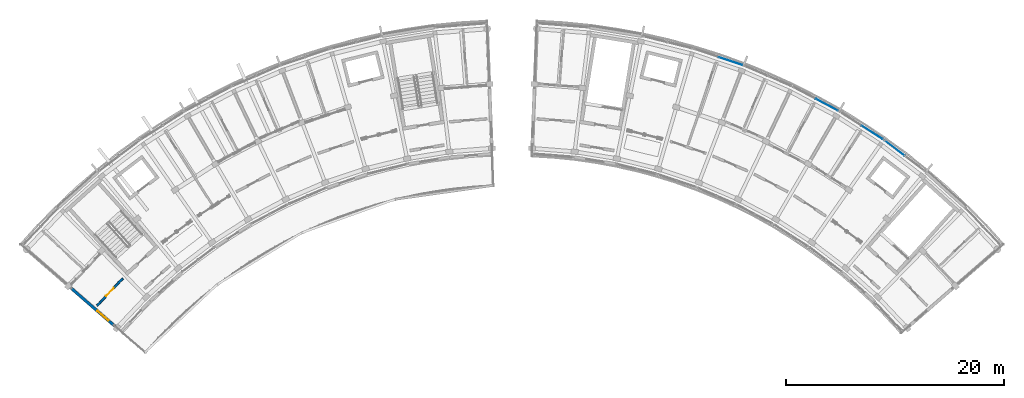
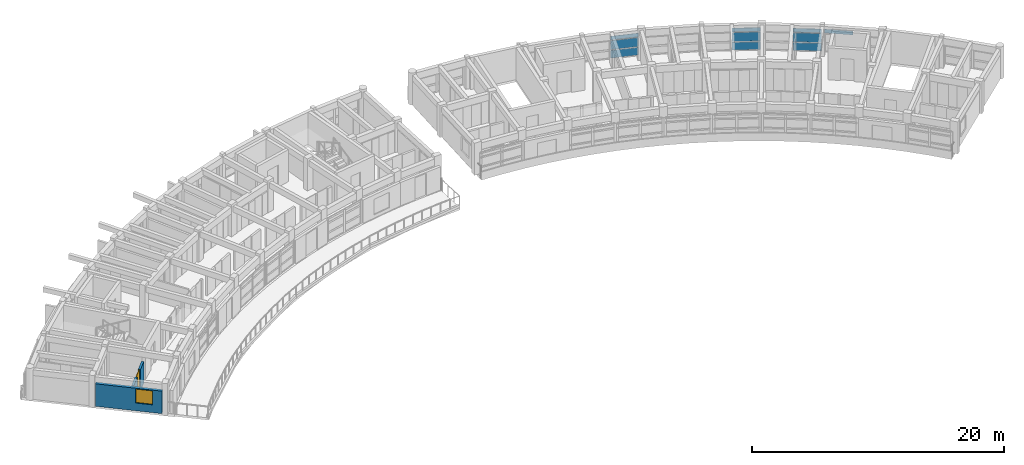
# One storey, part 13 of 23: 10 plates, 2 walls, 1 door, 1 window, 2 openings, 4 elements without a shape of their own.
"""IFC4 building model written with IfcOpenShell, lengths in metres."""

from ifc_helpers import new_model, si_unit, direction, frame, frame_2d, origin, origin_2d, place, context, subcontext, project, spatial, rectangle, extrude, material, layer, layer_set, type_object, element, fill, aggregate, save


model = new_model("IFC4")

# Units and contexts
model_context = context("Model", 3, precision=1e-05, world=origin(), true_north=direction((0.0, 1.0)))
body_context = subcontext(model_context, "Body", "Model", "MODEL_VIEW")
ifc_project = project(units=[si_unit("LENGTHUNIT", "METRE"), si_unit("AREAUNIT", "SQUARE_METRE"), si_unit("VOLUMEUNIT", "CUBIC_METRE"), si_unit("PLANEANGLEUNIT", "RADIAN"), si_unit("MASSUNIT", "GRAM", prefix="KILO")], contexts=[model_context])

# Site, building, storey
site_placement = place(None, origin())
site = spatial("IfcSite", under=ifc_project, at=site_placement, CompositionType="ELEMENT")
building_placement = place(site_placement, origin())
building = spatial("IfcBuilding", under=site, at=building_placement, Name="Zimvara Arc Housing Community", CompositionType="ELEMENT")
storey_placement = place(building_placement, frame((0.0, 0.0, 36.0)))
storey = spatial("IfcBuildingStorey", under=building, at=storey_placement, Name="L11", CompositionType="ELEMENT", Elevation=36.0)

# Curtain wall, plates
ifc_material_1 = material(Name="Anodised Aluminium AW-6063", Category="aluminium")
curtain_wall_type_1 = type_object("IfcCurtainWallType", Name="CW-SYS-01", PredefinedType="USERDEFINED", material=ifc_material_1)
curtain_wall_1_placement = place(storey_placement, origin())
curtain_wall_1 = element("IfcCurtainWall", 1, at=curtain_wall_1_placement, inside=storey, type_object=curtain_wall_type_1, Name="cw:blkB:L11:out:b3", ObjectType="CURTAIN WALL", PredefinedType="USERDEFINED")
ifc_material_2 = material(Name="Solar Control Low-E Double Glazing", Category="glass")
ifc_layer_1 = layer(ifc_material_2, 0.02392578125)
ifc_layer_set_1 = layer_set([ifc_layer_1], Name="Solar Control Low-E Double Glazing")
plate_type_1 = type_object("IfcPlateType", Name="CWP-GLZ-24", PredefinedType="CURTAIN_PANEL", material=ifc_layer_set_1)
plate_1_placement = place(storey_placement, frame((65.009521484375, 100.36669921875, 0.06494140625), z_axis=(0.0, 0.0, 1.0), x_axis=(0.947879647164, -0.318628583921, 0.0)))
plate_1 = element("IfcPlate", 2, at=plate_1_placement, type_object=plate_type_1, Name="CW01 panel 2.1", PredefinedType="CURTAIN_PANEL", context=body_context, shape_type="SweptSolid", body=[
    extrude(rectangle(XDim=2.266845703125, YDim=0.02392578125, at=origin_2d()), origin(), (0.0, 0.0, 1.0), 0.75244140625),
])
plate_2_placement = place(storey_placement, frame((65.009521484375, 100.36669921875, 0.88232421875), z_axis=(0.0, 0.0, 1.0), x_axis=(0.947879647164, -0.318628583921, 0.0)))
plate_2 = element("IfcPlate", 3, at=plate_2_placement, type_object=plate_type_1, Name="CW01 panel 2.2", PredefinedType="CURTAIN_PANEL", context=body_context, shape_type="SweptSolid", body=[
    extrude(rectangle(XDim=2.266845703125, YDim=0.02392578125, at=origin_2d()), origin(), (0.0, 0.0, 1.0), 0.885009765625),
])
plate_3_placement = place(storey_placement, frame((65.009521484375, 100.36669921875, 1.83251953125), z_axis=(0.0, 0.0, 1.0), x_axis=(0.947879647164, -0.318628583921, 0.0)))
plate_3 = element("IfcPlate", 4, at=plate_3_placement, type_object=plate_type_1, Name="CW01 panel 2.3", PredefinedType="CURTAIN_PANEL", context=body_context, shape_type="SweptSolid", body=[
    extrude(rectangle(XDim=2.266845703125, YDim=0.02392578125, at=origin_2d()), origin(), (0.0, 0.0, 1.0), 0.3525390625),
])
aggregate(curtain_wall_1, [plate_1, plate_2, plate_3])

ifc_material_3 = material(Name="Anodised Aluminium AW-6063", Category="aluminium")
curtain_wall_type_2 = type_object("IfcCurtainWallType", Name="CW-SYS-05", PredefinedType="USERDEFINED", material=ifc_material_3)
curtain_wall_2_placement = place(storey_placement, origin())
curtain_wall_2 = element("IfcCurtainWall", 5, at=curtain_wall_2_placement, inside=storey, type_object=curtain_wall_type_2, Name="cw:blkB:L11:out:b5", ObjectType="CURTAIN WALL", PredefinedType="USERDEFINED")
plate_4_placement = place(storey_placement, frame((73.8291015625, 96.36865234375, 0.06494140625), z_axis=(0.0, 0.0, 1.0), x_axis=(0.883438614651, -0.468546917761, 0.0)))
plate_4 = element("IfcPlate", 6, at=plate_4_placement, type_object=plate_type_1, Name="CW05 panel 2.1", PredefinedType="CURTAIN_PANEL", context=body_context, shape_type="SweptSolid", body=[
    extrude(rectangle(XDim=2.266845703125, YDim=0.02392578125, at=origin_2d()), origin(), (0.0, 0.0, 1.0), 0.75244140625),
])
plate_5_placement = place(storey_placement, frame((73.8291015625, 96.36865234375, 0.88232421875), z_axis=(0.0, 0.0, 1.0), x_axis=(0.883438614651, -0.468546917761, 0.0)))
plate_5 = element("IfcPlate", 7, at=plate_5_placement, type_object=plate_type_1, Name="CW05 panel 2.2", PredefinedType="CURTAIN_PANEL", context=body_context, shape_type="SweptSolid", body=[
    extrude(rectangle(XDim=2.266845703125, YDim=0.02392578125, at=origin_2d()), origin(), (0.0, 0.0, 1.0), 0.885009765625),
])
plate_6_placement = place(storey_placement, frame((73.8291015625, 96.36865234375, 1.83251953125), z_axis=(0.0, 0.0, 1.0), x_axis=(0.883438614651, -0.468546917761, 0.0)))
plate_6 = element("IfcPlate", 8, at=plate_6_placement, type_object=plate_type_1, Name="CW05 panel 2.3", PredefinedType="CURTAIN_PANEL", context=body_context, shape_type="SweptSolid", body=[
    extrude(rectangle(XDim=2.266845703125, YDim=0.02392578125, at=origin_2d()), origin(), (0.0, 0.0, 1.0), 0.3525390625),
])
aggregate(curtain_wall_2, [plate_4, plate_5, plate_6])

# Curtain wall, plate
curtain_wall_3_placement = place(storey_placement, origin())
curtain_wall_3 = element("IfcCurtainWall", 9, at=curtain_wall_3_placement, inside=storey, type_object=curtain_wall_type_1, Name="cw:blkB:L11:out:b7", ObjectType="CURTAIN WALL", PredefinedType="USERDEFINED")
plate_7_placement = place(storey_placement, frame((80.026123046875, 92.40234375, 1.83251953125), z_axis=(0.0, 0.0, 1.0), x_axis=(0.795473999177, -0.60598771987, 0.0)))
plate_7 = element("IfcPlate", 10, at=plate_7_placement, type_object=plate_type_1, Name="CW01 panel 1.3", PredefinedType="CURTAIN_PANEL", context=body_context, shape_type="SweptSolid", body=[
    extrude(rectangle(XDim=2.266845703125, YDim=0.02392578125, at=origin_2d()), origin(), (0.0, 0.0, 1.0), 0.3525390625),
])
aggregate(curtain_wall_3, [plate_7])

# Curtain wall, plates
ifc_material_4 = material(Name="Anodised Aluminium AW-6063", Category="aluminium")
curtain_wall_type_3 = type_object("IfcCurtainWallType", Name="CW-SYS-07", PredefinedType="USERDEFINED", material=ifc_material_4)
curtain_wall_4_placement = place(storey_placement, origin())
curtain_wall_4 = element("IfcCurtainWall", 11, at=curtain_wall_4_placement, inside=storey, type_object=curtain_wall_type_3, Name="cw:blkB:L11:out:b6", ObjectType="CURTAIN WALL", PredefinedType="USERDEFINED")
ifc_material_5 = material(Name="Acoustic Laminated Solar Glazing", Category="glass")
ifc_layer_2 = layer(ifc_material_5, 0.031982421875)
ifc_layer_set_2 = layer_set([ifc_layer_2], Name="Acoustic Laminated Solar Glazing")
plate_type_2 = type_object("IfcPlateType", Name="CWP-GLZ-32", PredefinedType="CURTAIN_PANEL", material=ifc_layer_set_2)
plate_8_placement = place(storey_placement, frame((77.965087890625, 93.843505859375, 0.06494140625), z_axis=(0.0, 0.0, 1.0), x_axis=(0.842264410931, -0.539064617721, 0.0)))
plate_8 = element("IfcPlate", 12, at=plate_8_placement, type_object=plate_type_2, Name="CW07 panel 2.1", PredefinedType="CURTAIN_PANEL", context=body_context, shape_type="SweptSolid", body=[
    extrude(rectangle(XDim=2.266845703125, YDim=0.031982421875, at=origin_2d()), origin(), (0.0, 0.0, 1.0), 0.75244140625),
])
plate_9_placement = place(storey_placement, frame((77.965087890625, 93.843505859375, 0.88232421875), z_axis=(0.0, 0.0, 1.0), x_axis=(0.842264410931, -0.539064617721, 0.0)))
plate_9 = element("IfcPlate", 13, at=plate_9_placement, type_object=plate_type_2, Name="CW07 panel 2.2", PredefinedType="CURTAIN_PANEL", context=body_context, shape_type="SweptSolid", body=[
    extrude(rectangle(XDim=2.266845703125, YDim=0.031982421875, at=origin_2d()), origin(), (0.0, 0.0, 1.0), 0.885009765625),
])
plate_10_placement = place(storey_placement, frame((77.965087890625, 93.843505859375, 1.83251953125), z_axis=(0.0, 0.0, 1.0), x_axis=(0.842264410931, -0.539064617721, 0.0)))
plate_10 = element("IfcPlate", 14, at=plate_10_placement, type_object=plate_type_2, Name="CW07 panel 2.3", PredefinedType="CURTAIN_PANEL", context=body_context, shape_type="SweptSolid", body=[
    extrude(rectangle(XDim=2.266845703125, YDim=0.031982421875, at=origin_2d()), origin(), (0.0, 0.0, 1.0), 0.3525390625),
])
aggregate(curtain_wall_4, [plate_8, plate_9, plate_10])

# Wall, opening, window
ifc_material_6 = material(Name="Board-Marked Fair-Faced Concrete C35/45", Category="concrete")
ifc_layer_3 = layer(ifc_material_6, 0.2548828125)
ifc_layer_set_3 = layer_set([ifc_layer_3], Name="Board-Marked Fair-Faced Concrete C35/45")
wall_type_1 = type_object("IfcWallType", Name="EWL-CONC-255", PredefinedType="SOLIDWALL", material=ifc_layer_set_3)
wall_1_placement = place(storey_placement, frame((8.653076171875, 76.095703125, 0.0), z_axis=(0.0, 0.0, 1.0), x_axis=(-0.754709658894, 0.65605893849, 0.0)))
wall_1 = element("IfcWall", 15, at=wall_1_placement, inside=storey, type_object=wall_type_1, Name="ewall:blkA:L11:g0", PredefinedType="SOLIDWALL", context=body_context, shape_type="SweptSolid", body=[
    extrude(rectangle(XDim=5.39990234375, YDim=0.2548828125, at=frame_2d((2.699951171875, 0.0))), origin(), (0.0, 0.0, 1.0), 2.179931640625),
])
opening_1_placement = place(wall_1_placement, frame((0.7900390625, 0.0, 0.75)))
opening_1 = element("IfcOpeningElement", 16, at=opening_1_placement, cuts=wall_1, Name="Opening W12", PredefinedType="OPENING", context=body_context, shape_type="SweptSolid", body=[
    extrude(rectangle(XDim=1.35009765625, YDim=1.35009765625, at=frame_2d((0.675048828125, 0.675048828125))), frame((0.0, 0.137451171875, 0.0), z_axis=(0.0, -1.0, 0.0), x_axis=(1.0, 0.0, 0.0)), (0.0, 0.0, 1.0), 0.27490234375),
])
ifc_material_7 = material(Name="Solar Control Low-E Double Glazing", Category="glass")
window_type = type_object("IfcWindowType", Name="WIN-RES-1350x1350", PartitioningType="DOUBLE_PANEL_VERTICAL", PredefinedType="WINDOW", material=ifc_material_7)
window_placement = place(opening_1_placement, origin())
window = element("IfcWindow", 17, at=window_placement, inside=storey, type_object=window_type, Name="win:blkA:L11:g0:w", OverallHeight=1.35009765625, OverallWidth=1.35009765625, PartitioningType="DOUBLE_PANEL_VERTICAL", PredefinedType="WINDOW", context=body_context, shape_type="SweptSolid", body=[
    extrude(rectangle(XDim=1.35009765625, YDim=1.35009765625, at=frame_2d((0.675048828125, 0.675048828125))), frame((0.0, 0.030029296875, 0.0), z_axis=(0.0, -1.0, 0.0), x_axis=(1.0, 0.0, 0.0)), (0.0, 0.0, 1.0), 0.06005859375),
])
fill(opening_1, window)

# Wall, opening, door
ifc_material_8 = material(Name="Concrete C35/45", Category="concrete")
ifc_layer_4 = layer(ifc_material_8, 0.18994140625)
ifc_layer_set_4 = layer_set([ifc_layer_4], Name="Concrete C35/45")
wall_type_2 = type_object("IfcWallType", Name="IWL-CORR-190", PredefinedType="SOLIDWALL", material=ifc_layer_set_4)
wall_2_placement = place(storey_placement, frame((7.01416015625, 77.98388671875, 0.0), z_axis=(0.0, 0.0, 1.0), x_axis=(0.686310507227, 0.727308660522, 0.0)))
wall_2 = element("IfcWall", 18, at=wall_2_placement, inside=storey, type_object=wall_type_2, Name="iwall:blkA:L11:corr_out:b0", PredefinedType="SOLIDWALL", context=body_context, shape_type="SweptSolid", body=[
    extrude(rectangle(XDim=3.43603515625, YDim=0.18994140625, at=frame_2d((1.718017578125, 0.0))), origin(), (0.0, 0.0, 1.0), 2.080078125),
])
opening_2_placement = place(wall_2_placement, frame((1.2080078125, 0.0, 0.0)))
opening_2 = element("IfcOpeningElement", 19, at=opening_2_placement, cuts=wall_2, Name="Opening FD-FL2", PredefinedType="OPENING", context=body_context, shape_type="SweptSolid", body=[
    extrude(rectangle(XDim=1.02001953125, YDim=2.14990234375, at=frame_2d((0.510009765625, 1.074951171875))), frame((0.0, 0.10498046875, 0.0), z_axis=(0.0, -1.0, 0.0), x_axis=(1.0, 0.0, 0.0)), (0.0, 0.0, 1.0), 0.2099609375),
])
ifc_material_9 = material(Name="Mozambican Hardwood", Category="wood")
door_type = type_object("IfcDoorType", Name="IDR-FLAT-1020x2150", OperationType="NOTDEFINED", PredefinedType="DOOR", material=ifc_material_9)
door_placement = place(opening_2_placement, origin())
door = element("IfcDoor", 20, at=door_placement, inside=storey, type_object=door_type, Name="idoor:blkA:L11:flat:b0", OperationType="SINGLE_SWING_LEFT", OverallHeight=2.14990234375, OverallWidth=1.02001953125, PredefinedType="DOOR", context=body_context, shape_type="SweptSolid", body=[
    extrude(rectangle(XDim=1.02001953125, YDim=2.14990234375, at=frame_2d((0.510009765625, 1.074951171875))), frame((0.0, 0.02490234375, 0.0), z_axis=(0.0, -1.0, 0.0), x_axis=(1.0, 0.0, 0.0)), (0.0, 0.0, 1.0), 0.050048828125),
])
fill(opening_2, door)

save(model, "model.ifc")
